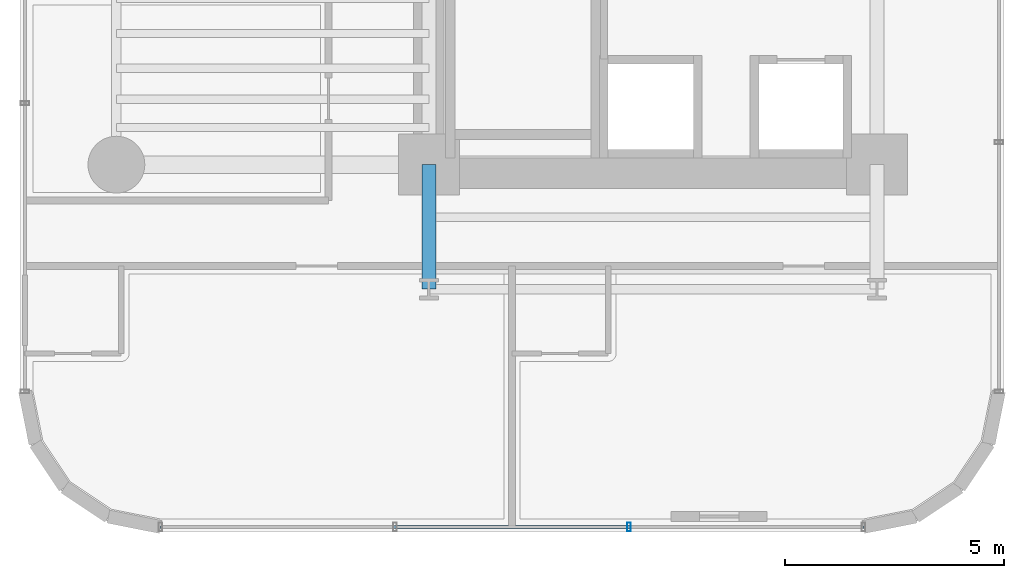
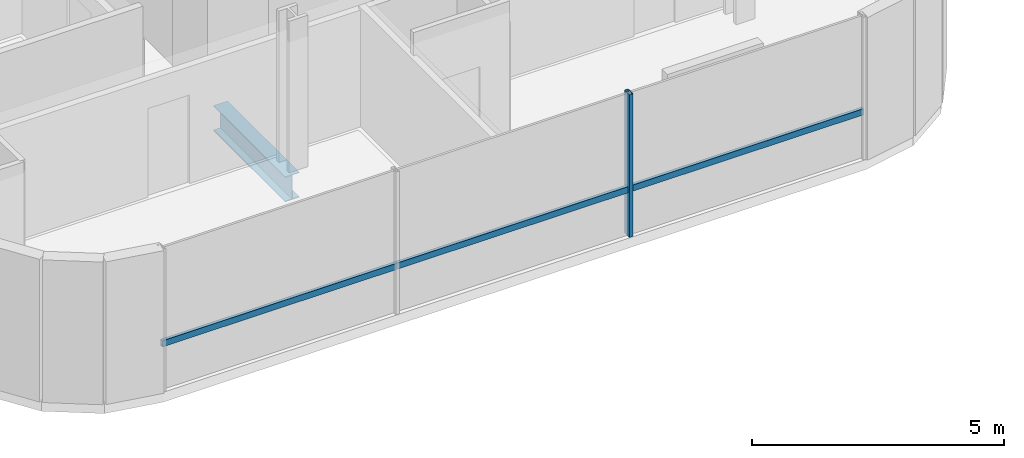
# One storey, part 3 of 40: 2 members, 1 beam, 1 element without a shape of its own.
"""IFC4 building model written with IfcOpenShell, lengths in metres."""

from ifc_helpers import new_model, si_unit, direction, frame, origin, origin_2d, place, context, subcontext, project, spatial, hollow_rectangle, i_section, extrude, source, transform, mapped, material, material_profile, profile_set, type_object, element, aggregate, save


model = new_model("IFC4")

# Units and contexts
model_context = context("Model", 3, precision=1e-05, world=origin(), true_north=direction((0.0, 1.0)))
body_context = subcontext(model_context, "Body", "Model", "MODEL_VIEW")
ifc_project = project(units=[si_unit("LENGTHUNIT", "METRE"), si_unit("AREAUNIT", "SQUARE_METRE"), si_unit("VOLUMEUNIT", "CUBIC_METRE"), si_unit("PLANEANGLEUNIT", "RADIAN"), si_unit("MASSUNIT", "GRAM", prefix="KILO")], contexts=[model_context])

# Site, building, storey
site_placement = place(None, origin())
site = spatial("IfcSite", under=ifc_project, at=site_placement, CompositionType="ELEMENT")
building_placement = place(site_placement, origin())
building = spatial("IfcBuilding", under=site, at=building_placement, Name="Valdorenza Pilgrim Sanctuary Tower", CompositionType="ELEMENT")
storey_placement = place(building_placement, frame((0.0, 0.0, 44.5)))
storey = spatial("IfcBuildingStorey", under=building, at=storey_placement, Name="L10", CompositionType="ELEMENT", Elevation=44.5)

# Beam
ifc_material_1 = material(Name="Steel ASTM A992 Grade 50", Category="steel")
ifc_material_profile_1 = material_profile(ifc_material_1, i_section(OverallWidth=0.323974609375, OverallDepth=0.611083984375, WebThickness=0.0126953125, FlangeThickness=0.01904296875, at=origin_2d()), Name="W24X104")
ifc_profile_set_1 = profile_set([ifc_material_profile_1], Name="Steel ASTM A992 Grade 50")
beam_type = type_object("IfcBeamType", Name="STR-BM-GRD-W24B", PredefinedType="BEAM", material=ifc_profile_set_1)
shared_shape_1 = source(origin(), body_context, "Body", "SweptSolid", [
    extrude(i_section(OverallWidth=0.323974609375, OverallDepth=0.611083984375, WebThickness=0.0126953125, FlangeThickness=0.01904296875, at=origin_2d()), origin(), (0.0, 0.0, 1.0), 2.849853515625),
])
beam_placement = place(storey_placement, frame((-22.64990234375, -13.449951171875, -0.54541015625), z_axis=(0.0, 1.0, 0.0), x_axis=(-1.0, 0.0, 0.0)))
element("IfcBeam", 1, at=beam_placement, inside=storey, type_object=beam_type, Name="L10 Floor Girder WA-S-LW", PredefinedType="BEAM", context=body_context, shape_type="MappedRepresentation", body=[
    mapped(shared_shape_1, transform((0.0, 0.0, 0.0), x_axis=(1.0, 0.0, 0.0), y_axis=(0.0, 1.0, 0.0), z_axis=(0.0, 0.0, 1.0), scale=1.0)),
])

# Curtain wall, members
ifc_material_2 = material(Name="Curtain-wall IGU glazing", Category="glass")
curtain_wall_type = type_object("IfcCurtainWallType", Name="CW-SYS-02", PredefinedType="NOTDEFINED", material=ifc_material_2)
curtain_wall_placement = place(storey_placement, origin())
curtain_wall = element("IfcCurtainWall", 2, at=curtain_wall_placement, inside=storey, type_object=curtain_wall_type, Name="L10 Curtain Wall CW-L10-1-46", PredefinedType="NOTDEFINED")
ifc_material_3 = material(Name="Anodised aluminium AW-6060", Category="aluminium")
ifc_material_profile_2 = material_profile(ifc_material_3, hollow_rectangle(XDim=0.0849609375, YDim=0.199951171875, WallThickness=0.0048828125, at=origin_2d()), Name="ALU-M 200x85x5")
ifc_profile_set_2 = profile_set([ifc_material_profile_2], Name="Anodised aluminium AW-6060")
member_type_1 = type_object("IfcMemberType", Name="CW-MUL-02", PredefinedType="MULLION", material=ifc_profile_set_2)
shared_shape_2 = source(origin(), body_context, "Body", "SweptSolid", [
    extrude(hollow_rectangle(XDim=0.0849609375, YDim=0.199951171875, WallThickness=0.0048828125, at=origin_2d()), origin(), (0.0, 0.0, 1.0), 3.4599609375),
])
member_1_placement = place(storey_placement, frame((-18.0703125, -18.889892578125, 0.0), z_axis=(0.0, 0.0, 1.0), x_axis=(-1.0, 0.0, 0.0)))
member_1 = element("IfcMember", 3, at=member_1_placement, type_object=member_type_1, Name="CW-L10-1-46 Mullion 2", PredefinedType="MULLION", context=body_context, shape_type="MappedRepresentation", body=[
    mapped(shared_shape_2, transform((0.0, 0.0, 0.0), x_axis=(1.0, 0.0, 0.0), y_axis=(0.0, 1.0, 0.0), z_axis=(0.0, 0.0, 1.0), scale=1.0)),
])
ifc_material_profile_3 = material_profile(ifc_material_3, hollow_rectangle(XDim=0.074951171875, YDim=0.14990234375, WallThickness=0.00390625, at=origin_2d()), Name="ALU-T 150x75x4")
ifc_profile_set_3 = profile_set([ifc_material_profile_3], Name="Anodised aluminium AW-6060")
member_type_2 = type_object("IfcMemberType", Name="CW-TRN-02", PredefinedType="USERDEFINED", material=ifc_profile_set_3)
shared_shape_3 = source(origin(), body_context, "Body", "SweptSolid", [
    extrude(hollow_rectangle(XDim=0.074951171875, YDim=0.14990234375, WallThickness=0.00390625, at=origin_2d()), origin(), (0.0, 0.0, 1.0), 16.07861328125),
])
member_2_placement = place(storey_placement, frame((-12.710693359375, -18.889892578125, 1.1201171875), z_axis=(-1.0, 0.0, 0.0), x_axis=(0.0, -1.0, 0.0)))
member_2 = element("IfcMember", 4, at=member_2_placement, type_object=member_type_2, Name="CW-L10-1-46 Transom 1", ObjectType="TRANSOM", PredefinedType="USERDEFINED", context=body_context, shape_type="MappedRepresentation", body=[
    mapped(shared_shape_3, transform((0.0, 0.0, 0.0), x_axis=(1.0, 0.0, 0.0), y_axis=(0.0, 1.0, 0.0), z_axis=(0.0, 0.0, 1.0), scale=1.0)),
])
aggregate(curtain_wall, [member_1, member_2])

save(model, "model.ifc")
